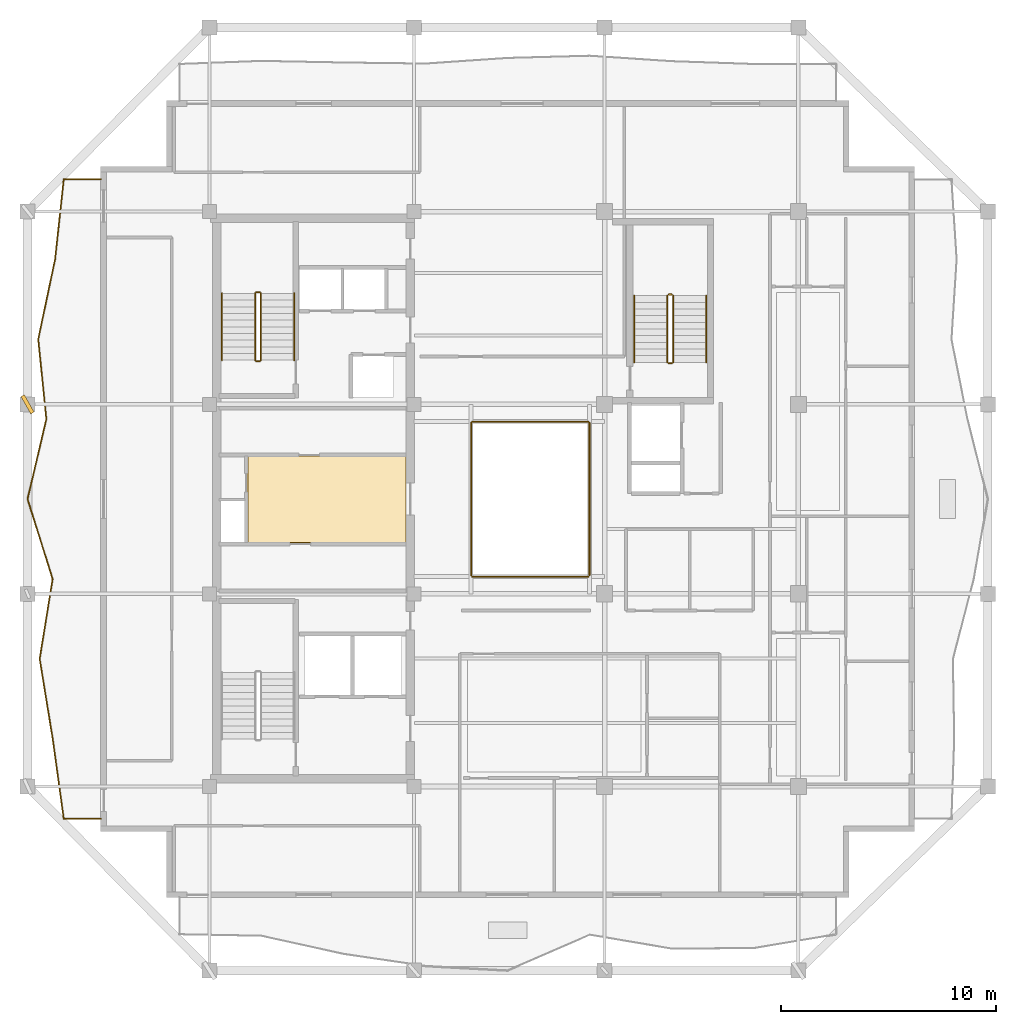
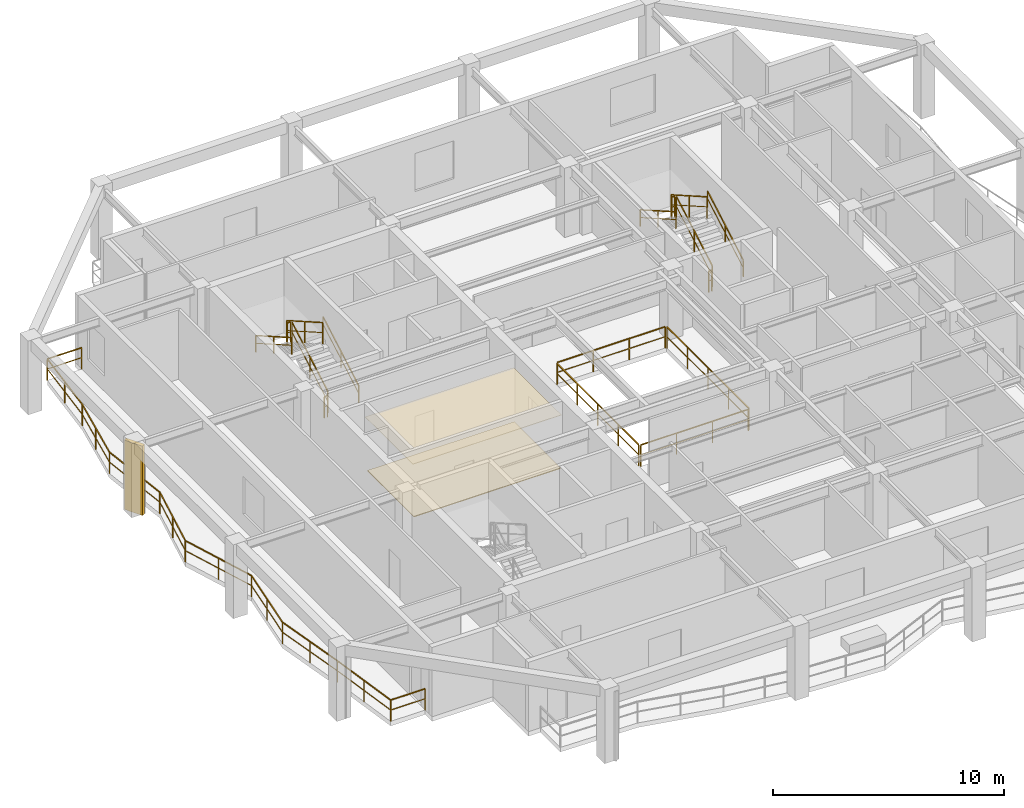
# One storey, part 8 of 10: 17 railings, 2 coverings, 1 shading device.
"""IFC4 building model written with IfcOpenShell, lengths in metres."""

from ifc_helpers import new_model, si_unit, direction, frame, origin, origin_2d, place, context, subcontext, project, spatial, polyline, rectangle, outline, extrude, material, layer, layer_set, type_object, element, save


model = new_model("IFC4")

# Units and contexts
model_context = context("Model", 3, precision=1e-05, world=origin(), true_north=direction((0.0, 1.0)))
body_context = subcontext(model_context, "Body", "Model", "MODEL_VIEW")
ifc_project = project(units=[si_unit("LENGTHUNIT", "METRE"), si_unit("AREAUNIT", "SQUARE_METRE"), si_unit("VOLUMEUNIT", "CUBIC_METRE"), si_unit("PLANEANGLEUNIT", "RADIAN"), si_unit("MASSUNIT", "GRAM", prefix="KILO")], contexts=[model_context])

# Site, building, storey
site_placement = place(None, origin())
site = spatial("IfcSite", under=ifc_project, at=site_placement, CompositionType="ELEMENT")
building_placement = place(site_placement, origin())
building = spatial("IfcBuilding", under=site, at=building_placement, Name="Kundavana Baori Tower", CompositionType="ELEMENT")
storey_placement = place(building_placement, frame((0.0, 0.0, 280.39990234375)))
storey = spatial("IfcBuildingStorey", under=building, at=storey_placement, Name="L69", CompositionType="ELEMENT", Elevation=280.39990234375)

# Coverings
ifc_material_1 = material(Name="Honed Kota Stone and Terrazzo Flooring", Category="masonry")
ifc_layer_1 = layer(ifc_material_1, 0.0400390625, Name="COV-FLR-TERR-40")
ifc_layer_set_1 = layer_set([ifc_layer_1], Name="Honed Kota Stone and Terrazzo Flooring")
covering_type_1 = type_object("IfcCoveringType", Name="COV-FLR-TERR-40", PredefinedType="FLOORING", material=ifc_layer_set_1)
covering_1_placement = place(storey_placement, origin())
element("IfcCovering", 1, at=covering_1_placement, inside=storey, type_object=covering_type_1, Name="L69 Core Lift Lobby Kota Stone Flooring", PredefinedType="FLOORING", context=body_context, shape_type="SweptSolid", body=[
    extrude(outline(polyline([(17.25, 26.580078125), (24.580078125, 26.580078125), (24.580078125, 30.60009765625), (17.25, 30.60009765625), (17.25, 26.580078125)])), origin(), (0.0, 0.0, 1.0), 0.0400390625),
])
ifc_material_2 = material(Name="Perforated Acoustic Mineral Fibre Ceiling Board")
ifc_layer_2 = layer(ifc_material_2, 0.02490234375, Name="COV-INT-CEIL")
ifc_layer_set_2 = layer_set([ifc_layer_2], Name="Perforated Acoustic Mineral Fibre Ceiling Board")
covering_type_2 = type_object("IfcCoveringType", Name="COV-INT-CEIL", PredefinedType="CEILING", material=ifc_layer_set_2)
covering_2_placement = place(storey_placement, frame((0.0, 0.0, 2.85009765625)))
element("IfcCovering", 2, at=covering_2_placement, inside=storey, type_object=covering_type_2, Name="L69 Core Lift Lobby Acoustic Ceiling", PredefinedType="CEILING", context=body_context, shape_type="SweptSolid", body=[
    extrude(outline(polyline([(17.159912109375, 26.52001953125), (24.580078125, 26.52001953125), (24.580078125, 30.639892578125), (17.159912109375, 30.639892578125), (17.159912109375, 26.52001953125)])), origin(), (0.0, 0.0, 1.0), 0.02490234375),
])

# Railings
ifc_material_3 = material(Name="Architectural Patinated Bronze Metalwork")
railing_type_1 = type_object("IfcRailingType", Name="RL-BAL-1150", PredefinedType="BALUSTRADE", material=ifc_material_3)
railing_1_placement = place(storey_placement, frame((10.39990234375, 13.75, 0.0)))
element("IfcRailing", 3, at=railing_1_placement, inside=storey, type_object=railing_type_1, Name="L69 Loggia Balcony Balustrade W", PredefinedType="BALUSTRADE", context=body_context, shape_type="SweptSolid", body=[
    extrude(rectangle(XDim=0.048095703125, YDim=0.048095703125, at=origin_2d()), frame((0.0, 0.0, 1.1259765625), z_axis=(-1.0, 0.0, 0.0), x_axis=(0.0, -1.0, 0.0)), (0.0, 0.0, 1.0), 1.719970703125),
    extrude(rectangle(XDim=0.03125, YDim=0.03125, at=origin_2d()), frame((0.0, 0.0, 0.597900390625), z_axis=(-1.0, 0.0, 0.0), x_axis=(0.0, -1.0, 0.0)), (0.0, 0.0, 1.0), 1.719970703125),
    extrude(rectangle(XDim=0.048095703125, YDim=0.048095703125, at=origin_2d()), frame((-1.719970703125, 0.0, 1.1259765625), z_axis=(-0.136886525247, 0.990586734822, 0.0), x_axis=(-0.990586734822, -0.136886525247, 0.0)), (0.0, 0.0, 1.0), 3.7470703125),
    extrude(rectangle(XDim=0.03125, YDim=0.03125, at=origin_2d()), frame((-1.719970703125, 0.0, 0.597900390625), z_axis=(-0.136886525247, 0.990586734822, 0.0), x_axis=(-0.990586734822, -0.136886525247, 0.0)), (0.0, 0.0, 1.0), 3.7470703125),
    extrude(rectangle(XDim=0.048095703125, YDim=0.048095703125, at=origin_2d()), frame((-2.23291015625, 3.7119140625, 1.1259765625), z_axis=(-0.160809390633, 0.986985481091, 0.0), x_axis=(-0.986985481091, -0.160809390633, 0.0)), (0.0, 0.0, 1.0), 3.76220703125),
    extrude(rectangle(XDim=0.03125, YDim=0.03125, at=origin_2d()), frame((-2.23291015625, 3.7119140625, 0.597900390625), z_axis=(-0.160809390633, 0.986985481091, 0.0), x_axis=(-0.986985481091, -0.160809390633, 0.0)), (0.0, 0.0, 1.0), 3.76220703125),
    extrude(rectangle(XDim=0.048095703125, YDim=0.048095703125, at=origin_2d()), frame((-2.837890625, 7.425048828125, 1.1259765625), z_axis=(0.159807910157, 0.987148130653, 0.0), x_axis=(-0.987148130653, 0.159807910157, 0.0)), (0.0, 0.0, 1.0), 3.76123046875),
    extrude(rectangle(XDim=0.03125, YDim=0.03125, at=origin_2d()), frame((-2.837890625, 7.425048828125, 0.597900390625), z_axis=(0.159807910157, 0.987148130653, 0.0), x_axis=(-0.987148130653, 0.159807910157, 0.0)), (0.0, 0.0, 1.0), 3.76123046875),
    extrude(rectangle(XDim=0.048095703125, YDim=0.048095703125, at=origin_2d()), frame((-2.23681640625, 11.137939453125, 1.1259765625), z_axis=(-0.29898603526, 0.954257486593, 0.0), x_axis=(-0.954257486593, -0.29898603526, 0.0)), (0.0, 0.0, 1.0), 3.89013671875),
    extrude(rectangle(XDim=0.03125, YDim=0.03125, at=origin_2d()), frame((-2.23681640625, 11.137939453125, 0.597900390625), z_axis=(-0.29898603526, 0.954257486593, 0.0), x_axis=(-0.954257486593, -0.29898603526, 0.0)), (0.0, 0.0, 1.0), 3.89013671875),
    extrude(rectangle(XDim=0.048095703125, YDim=0.048095703125, at=origin_2d()), frame((-3.39990234375, 14.85009765625, 1.1259765625), z_axis=(0.228468249656, 0.973551364284, 0.0), x_axis=(-0.973551364284, 0.228468249656, 0.0)), (0.0, 0.0, 1.0), 3.812744140625),
    extrude(rectangle(XDim=0.03125, YDim=0.03125, at=origin_2d()), frame((-3.39990234375, 14.85009765625, 0.597900390625), z_axis=(0.228468249656, 0.973551364284, 0.0), x_axis=(-0.973551364284, 0.228468249656, 0.0)), (0.0, 0.0, 1.0), 3.812744140625),
    extrude(rectangle(XDim=0.048095703125, YDim=0.048095703125, at=origin_2d()), frame((-2.52880859375, 18.56201171875, 1.1259765625), z_axis=(-0.100747274889, 0.994912049682, 0.0), x_axis=(-0.994912049682, -0.100747274889, 0.0)), (0.0, 0.0, 1.0), 3.73193359375),
    extrude(rectangle(XDim=0.03125, YDim=0.03125, at=origin_2d()), frame((-2.52880859375, 18.56201171875, 0.597900390625), z_axis=(-0.100747274889, 0.994912049682, 0.0), x_axis=(-0.994912049682, -0.100747274889, 0.0)), (0.0, 0.0, 1.0), 3.73193359375),
    extrude(rectangle(XDim=0.048095703125, YDim=0.048095703125, at=origin_2d()), frame((-2.90478515625, 22.27490234375, 1.1259765625), z_axis=(0.206324982135, 0.978483521449, 0.0), x_axis=(-0.978483521449, 0.206324982135, 0.0)), (0.0, 0.0, 1.0), 3.794677734375),
    extrude(rectangle(XDim=0.03125, YDim=0.03125, at=origin_2d()), frame((-2.90478515625, 22.27490234375, 0.597900390625), z_axis=(0.206324982135, 0.978483521449, 0.0), x_axis=(-0.978483521449, 0.206324982135, 0.0)), (0.0, 0.0, 1.0), 3.794677734375),
    extrude(rectangle(XDim=0.048095703125, YDim=0.048095703125, at=origin_2d()), frame((-2.121826171875, 25.988037109375, 1.1259765625), z_axis=(0.107632073694, 0.994190794924, 0.0), x_axis=(-0.994190794924, 0.107632073694, 0.0)), (0.0, 0.0, 1.0), 3.733642578125),
    extrude(rectangle(XDim=0.03125, YDim=0.03125, at=origin_2d()), frame((-2.121826171875, 25.988037109375, 0.597900390625), z_axis=(0.107632073694, 0.994190794924, 0.0), x_axis=(-0.994190794924, 0.107632073694, 0.0)), (0.0, 0.0, 1.0), 3.733642578125),
    extrude(rectangle(XDim=0.048095703125, YDim=0.048095703125, at=origin_2d()), frame((-1.719970703125, 29.699951171875, 1.1259765625), z_axis=(1.0, 0.0, 0.0), x_axis=(0.0, 1.0, 0.0)), (0.0, 0.0, 1.0), 1.719970703125),
    extrude(rectangle(XDim=0.03125, YDim=0.03125, at=origin_2d()), frame((-1.719970703125, 29.699951171875, 0.597900390625), z_axis=(1.0, 0.0, 0.0), x_axis=(0.0, 1.0, 0.0)), (0.0, 0.0, 1.0), 1.719970703125),
    extrude(rectangle(XDim=0.0419921875, YDim=0.0419921875, at=origin_2d()), origin(), (0.0, 0.0, 1.0), 1.101806640625),
    extrude(rectangle(XDim=0.0419921875, YDim=0.0419921875, at=origin_2d()), frame((-1.719970703125, 0.0, 0.0)), (0.0, 0.0, 1.0), 1.101806640625),
    extrude(rectangle(XDim=0.0419921875, YDim=0.0419921875, at=origin_2d()), frame((-1.9765625, 1.85595703125, 0.0)), (0.0, 0.0, 1.0), 1.101806640625),
    extrude(rectangle(XDim=0.0419921875, YDim=0.0419921875, at=origin_2d()), frame((-2.23291015625, 3.7119140625, 0.0)), (0.0, 0.0, 1.0), 1.101806640625),
    extrude(rectangle(XDim=0.0419921875, YDim=0.0419921875, at=origin_2d()), frame((-2.535400390625, 5.568359375, 0.0)), (0.0, 0.0, 1.0), 1.101806640625),
    extrude(rectangle(XDim=0.0419921875, YDim=0.0419921875, at=origin_2d()), frame((-2.837890625, 7.425048828125, 0.0)), (0.0, 0.0, 1.0), 1.101806640625),
    extrude(rectangle(XDim=0.0419921875, YDim=0.0419921875, at=origin_2d()), frame((-2.537353515625, 9.281494140625, 0.0)), (0.0, 0.0, 1.0), 1.101806640625),
    extrude(rectangle(XDim=0.0419921875, YDim=0.0419921875, at=origin_2d()), frame((-2.23681640625, 11.137939453125, 0.0)), (0.0, 0.0, 1.0), 1.101806640625),
    extrude(rectangle(XDim=0.0419921875, YDim=0.0419921875, at=origin_2d()), frame((-2.818359375, 12.994140625, 0.0)), (0.0, 0.0, 1.0), 1.101806640625),
    extrude(rectangle(XDim=0.0419921875, YDim=0.0419921875, at=origin_2d()), frame((-3.39990234375, 14.85009765625, 0.0)), (0.0, 0.0, 1.0), 1.101806640625),
    extrude(rectangle(XDim=0.0419921875, YDim=0.0419921875, at=origin_2d()), frame((-2.96435546875, 16.7060546875, 0.0)), (0.0, 0.0, 1.0), 1.101806640625),
    extrude(rectangle(XDim=0.0419921875, YDim=0.0419921875, at=origin_2d()), frame((-2.52880859375, 18.56201171875, 0.0)), (0.0, 0.0, 1.0), 1.101806640625),
    extrude(rectangle(XDim=0.0419921875, YDim=0.0419921875, at=origin_2d()), frame((-2.716796875, 20.41845703125, 0.0)), (0.0, 0.0, 1.0), 1.101806640625),
    extrude(rectangle(XDim=0.0419921875, YDim=0.0419921875, at=origin_2d()), frame((-2.90478515625, 22.27490234375, 0.0)), (0.0, 0.0, 1.0), 1.101806640625),
    extrude(rectangle(XDim=0.0419921875, YDim=0.0419921875, at=origin_2d()), frame((-2.51318359375, 24.13134765625, 0.0)), (0.0, 0.0, 1.0), 1.101806640625),
    extrude(rectangle(XDim=0.0419921875, YDim=0.0419921875, at=origin_2d()), frame((-2.121826171875, 25.988037109375, 0.0)), (0.0, 0.0, 1.0), 1.101806640625),
    extrude(rectangle(XDim=0.0419921875, YDim=0.0419921875, at=origin_2d()), frame((-1.9208984375, 27.843994140625, 0.0)), (0.0, 0.0, 1.0), 1.101806640625),
    extrude(rectangle(XDim=0.0419921875, YDim=0.0419921875, at=origin_2d()), frame((-1.719970703125, 29.699951171875, 0.0)), (0.0, 0.0, 1.0), 1.101806640625),
    extrude(rectangle(XDim=0.0419921875, YDim=0.0419921875, at=origin_2d()), frame((0.0, 29.699951171875, 0.0)), (0.0, 0.0, 1.0), 1.101806640625),
])
ifc_material_4 = material(Name="Architectural Patinated Bronze Metalwork")
railing_type_2 = type_object("IfcRailingType", Name="RL-GRD-1150", PredefinedType="GUARDRAIL", material=ifc_material_4)
railing_2_placement = place(storey_placement, frame((17.840087890625, 35.050048828125, 0.177490234375)))
element("IfcRailing", 4, at=railing_2_placement, inside=storey, type_object=railing_type_2, Name="L69 ST2 stair guard 1", PredefinedType="GUARDRAIL", context=body_context, shape_type="SweptSolid", body=[
    extrude(rectangle(XDim=0.048095703125, YDim=0.048095703125, at=origin_2d()), frame((0.0, 0.0, 1.1259765625), z_axis=(0.0, 0.868079009454, 0.496426060301), x_axis=(-1.0, 0.0, 0.0)), (0.0, 0.0, 1.0), 3.571044921875),
    extrude(rectangle(XDim=0.03125, YDim=0.03125, at=origin_2d()), frame((0.0, 0.0, 0.597900390625), z_axis=(0.0, 0.868079009454, 0.496426060301), x_axis=(-1.0, 0.0, 0.0)), (0.0, 0.0, 1.0), 3.571044921875),
    extrude(rectangle(XDim=0.0419921875, YDim=0.0419921875, at=origin_2d()), origin(), (0.0, 0.0, 1.0), 1.101806640625),
    extrude(rectangle(XDim=0.0419921875, YDim=0.0419921875, at=origin_2d()), frame((0.0, 1.5498046875, 0.88623046875)), (0.0, 0.0, 1.0), 1.101806640625),
    extrude(rectangle(XDim=0.0419921875, YDim=0.0419921875, at=origin_2d()), frame((0.0, 3.099853515625, 1.772705078125)), (0.0, 0.0, 1.0), 1.101806640625),
])
railing_3_placement = place(storey_placement, frame((17.7900390625, 38.199951171875, 1.9501953125)))
element("IfcRailing", 5, at=railing_3_placement, inside=storey, type_object=railing_type_2, Name="L69 ST2 stair guard 2", PredefinedType="GUARDRAIL", context=body_context, shape_type="SweptSolid", body=[
    extrude(rectangle(XDim=0.048095703125, YDim=0.048095703125, at=origin_2d()), frame((0.0, 0.0, 1.1259765625), z_axis=(-1.0, 0.0, 0.0), x_axis=(0.0, -1.0, 0.0)), (0.0, 0.0, 1.0), 0.16015625),
    extrude(rectangle(XDim=0.03125, YDim=0.03125, at=origin_2d()), frame((0.0, 0.0, 0.597900390625), z_axis=(-1.0, 0.0, 0.0), x_axis=(0.0, -1.0, 0.0)), (0.0, 0.0, 1.0), 0.16015625),
    extrude(rectangle(XDim=0.0419921875, YDim=0.0419921875, at=origin_2d()), origin(), (0.0, 0.0, 1.0), 1.101806640625),
    extrude(rectangle(XDim=0.0419921875, YDim=0.0419921875, at=origin_2d()), frame((-0.16015625, 0.0, 0.0)), (0.0, 0.0, 1.0), 1.101806640625),
])
railing_4_placement = place(storey_placement, frame((17.580078125, 38.14990234375, 2.12744140625)))
element("IfcRailing", 6, at=railing_4_placement, inside=storey, type_object=railing_type_2, Name="L69 ST2 stair guard 3", PredefinedType="GUARDRAIL", context=body_context, shape_type="SweptSolid", body=[
    extrude(rectangle(XDim=0.048095703125, YDim=0.048095703125, at=origin_2d()), frame((0.0, 0.0, 1.1259765625), z_axis=(0.0, -0.868079009454, 0.496426060301), x_axis=(1.0, 0.0, 0.0)), (0.0, 0.0, 1.0), 3.571044921875),
    extrude(rectangle(XDim=0.03125, YDim=0.03125, at=origin_2d()), frame((0.0, 0.0, 0.597900390625), z_axis=(0.0, -0.868079009454, 0.496426060301), x_axis=(1.0, 0.0, 0.0)), (0.0, 0.0, 1.0), 3.571044921875),
    extrude(rectangle(XDim=0.0419921875, YDim=0.0419921875, at=origin_2d()), origin(), (0.0, 0.0, 1.0), 1.101806640625),
    extrude(rectangle(XDim=0.0419921875, YDim=0.0419921875, at=origin_2d()), frame((0.0, -1.5498046875, 0.88623046875)), (0.0, 0.0, 1.0), 1.101806640625),
    extrude(rectangle(XDim=0.0419921875, YDim=0.0419921875, at=origin_2d()), frame((0.0, -3.099853515625, 1.772705078125)), (0.0, 0.0, 1.0), 1.101806640625),
])
railing_5_placement = place(storey_placement, frame((17.7900390625, 35.0, 0.0)))
element("IfcRailing", 7, at=railing_5_placement, inside=storey, type_object=railing_type_2, Name="L69 ST2 stair guard 4", PredefinedType="GUARDRAIL", context=body_context, shape_type="SweptSolid", body=[
    extrude(rectangle(XDim=0.048095703125, YDim=0.048095703125, at=origin_2d()), frame((0.0, 0.0, 1.1259765625), z_axis=(-1.0, 0.0, 0.0), x_axis=(0.0, -1.0, 0.0)), (0.0, 0.0, 1.0), 0.16015625),
    extrude(rectangle(XDim=0.03125, YDim=0.03125, at=origin_2d()), frame((0.0, 0.0, 0.597900390625), z_axis=(-1.0, 0.0, 0.0), x_axis=(0.0, -1.0, 0.0)), (0.0, 0.0, 1.0), 0.16015625),
    extrude(rectangle(XDim=0.0419921875, YDim=0.0419921875, at=origin_2d()), origin(), (0.0, 0.0, 1.0), 1.101806640625),
    extrude(rectangle(XDim=0.0419921875, YDim=0.0419921875, at=origin_2d()), frame((-0.16015625, 0.0, 0.0)), (0.0, 0.0, 1.0), 1.101806640625),
])
railing_6_placement = place(storey_placement, frame((36.97998046875, 34.949951171875, 0.177490234375)))
element("IfcRailing", 8, at=railing_6_placement, inside=storey, type_object=railing_type_2, Name="L69 ST3 stair guard 1", PredefinedType="GUARDRAIL", context=body_context, shape_type="SweptSolid", body=[
    extrude(rectangle(XDim=0.048095703125, YDim=0.048095703125, at=origin_2d()), frame((0.0, 0.0, 1.1259765625), z_axis=(0.0, 0.868095856688, 0.496396599103), x_axis=(-1.0, 0.0, 0.0)), (0.0, 0.0, 1.0), 3.571044921875),
    extrude(rectangle(XDim=0.03125, YDim=0.03125, at=origin_2d()), frame((0.0, 0.0, 0.597900390625), z_axis=(0.0, 0.868095856688, 0.496396599103), x_axis=(-1.0, 0.0, 0.0)), (0.0, 0.0, 1.0), 3.571044921875),
    extrude(rectangle(XDim=0.0419921875, YDim=0.0419921875, at=origin_2d()), origin(), (0.0, 0.0, 1.0), 1.101806640625),
    extrude(rectangle(XDim=0.0419921875, YDim=0.0419921875, at=origin_2d()), frame((0.0, 1.550048828125, 0.88623046875)), (0.0, 0.0, 1.0), 1.101806640625),
    extrude(rectangle(XDim=0.0419921875, YDim=0.0419921875, at=origin_2d()), frame((0.0, 3.10009765625, 1.772705078125)), (0.0, 0.0, 1.0), 1.101806640625),
])
railing_7_placement = place(storey_placement, frame((36.929931640625, 38.10009765625, 1.9501953125)))
element("IfcRailing", 9, at=railing_7_placement, inside=storey, type_object=railing_type_2, Name="L69 ST3 stair guard 2", PredefinedType="GUARDRAIL", context=body_context, shape_type="SweptSolid", body=[
    extrude(rectangle(XDim=0.048095703125, YDim=0.048095703125, at=origin_2d()), frame((0.0, 0.0, 1.1259765625), z_axis=(-1.0, 0.0, 0.0), x_axis=(0.0, -1.0, 0.0)), (0.0, 0.0, 1.0), 0.159912109375),
    extrude(rectangle(XDim=0.03125, YDim=0.03125, at=origin_2d()), frame((0.0, 0.0, 0.597900390625), z_axis=(-1.0, 0.0, 0.0), x_axis=(0.0, -1.0, 0.0)), (0.0, 0.0, 1.0), 0.159912109375),
    extrude(rectangle(XDim=0.0419921875, YDim=0.0419921875, at=origin_2d()), origin(), (0.0, 0.0, 1.0), 1.101806640625),
    extrude(rectangle(XDim=0.0419921875, YDim=0.0419921875, at=origin_2d()), frame((-0.159912109375, 0.0, 0.0)), (0.0, 0.0, 1.0), 1.101806640625),
])
railing_8_placement = place(storey_placement, frame((36.719970703125, 38.050048828125, 2.12744140625)))
element("IfcRailing", 10, at=railing_8_placement, inside=storey, type_object=railing_type_2, Name="L69 ST3 stair guard 3", PredefinedType="GUARDRAIL", context=body_context, shape_type="SweptSolid", body=[
    extrude(rectangle(XDim=0.048095703125, YDim=0.048095703125, at=origin_2d()), frame((0.0, 0.0, 1.1259765625), z_axis=(0.0, -0.868095856688, 0.496396599103), x_axis=(1.0, 0.0, 0.0)), (0.0, 0.0, 1.0), 3.571044921875),
    extrude(rectangle(XDim=0.03125, YDim=0.03125, at=origin_2d()), frame((0.0, 0.0, 0.597900390625), z_axis=(0.0, -0.868095856688, 0.496396599103), x_axis=(1.0, 0.0, 0.0)), (0.0, 0.0, 1.0), 3.571044921875),
    extrude(rectangle(XDim=0.0419921875, YDim=0.0419921875, at=origin_2d()), origin(), (0.0, 0.0, 1.0), 1.101806640625),
    extrude(rectangle(XDim=0.0419921875, YDim=0.0419921875, at=origin_2d()), frame((0.0, -1.550048828125, 0.88623046875)), (0.0, 0.0, 1.0), 1.101806640625),
    extrude(rectangle(XDim=0.0419921875, YDim=0.0419921875, at=origin_2d()), frame((0.0, -3.10009765625, 1.772705078125)), (0.0, 0.0, 1.0), 1.101806640625),
])
railing_9_placement = place(storey_placement, frame((36.929931640625, 34.89990234375, 0.0)))
element("IfcRailing", 11, at=railing_9_placement, inside=storey, type_object=railing_type_2, Name="L69 ST3 stair guard 4", PredefinedType="GUARDRAIL", context=body_context, shape_type="SweptSolid", body=[
    extrude(rectangle(XDim=0.048095703125, YDim=0.048095703125, at=origin_2d()), frame((0.0, 0.0, 1.1259765625), z_axis=(-1.0, 0.0, 0.0), x_axis=(0.0, -1.0, 0.0)), (0.0, 0.0, 1.0), 0.159912109375),
    extrude(rectangle(XDim=0.03125, YDim=0.03125, at=origin_2d()), frame((0.0, 0.0, 0.597900390625), z_axis=(-1.0, 0.0, 0.0), x_axis=(0.0, -1.0, 0.0)), (0.0, 0.0, 1.0), 0.159912109375),
    extrude(rectangle(XDim=0.0419921875, YDim=0.0419921875, at=origin_2d()), origin(), (0.0, 0.0, 1.0), 1.101806640625),
    extrude(rectangle(XDim=0.0419921875, YDim=0.0419921875, at=origin_2d()), frame((-0.159912109375, 0.0, 0.0)), (0.0, 0.0, 1.0), 1.101806640625),
])
railing_10_placement = place(storey_placement, frame((27.659912109375, 25.0, 0.0)))
element("IfcRailing", 12, at=railing_10_placement, inside=storey, type_object=railing_type_2, Name="L69 Atrium Void Perimeter Guardrail S", PredefinedType="GUARDRAIL", context=body_context, shape_type="SweptSolid", body=[
    extrude(rectangle(XDim=0.048095703125, YDim=0.048095703125, at=origin_2d()), frame((0.0, 0.0, 1.1259765625), z_axis=(1.0, 0.0, 0.0), x_axis=(0.0, 1.0, 0.0)), (0.0, 0.0, 1.0), 5.380126953125),
    extrude(rectangle(XDim=0.03125, YDim=0.03125, at=origin_2d()), frame((0.0, 0.0, 0.597900390625), z_axis=(1.0, 0.0, 0.0), x_axis=(0.0, 1.0, 0.0)), (0.0, 0.0, 1.0), 5.380126953125),
    extrude(rectangle(XDim=0.0419921875, YDim=0.0419921875, at=origin_2d()), origin(), (0.0, 0.0, 1.0), 1.101806640625),
    extrude(rectangle(XDim=0.0419921875, YDim=0.0419921875, at=origin_2d()), frame((1.79345703125, 0.0, 0.0)), (0.0, 0.0, 1.0), 1.101806640625),
    extrude(rectangle(XDim=0.0419921875, YDim=0.0419921875, at=origin_2d()), frame((3.586669921875, 0.0, 0.0)), (0.0, 0.0, 1.0), 1.101806640625),
    extrude(rectangle(XDim=0.0419921875, YDim=0.0419921875, at=origin_2d()), frame((5.380126953125, 0.0, 0.0)), (0.0, 0.0, 1.0), 1.101806640625),
])
railing_11_placement = place(storey_placement, frame((33.10009765625, 25.06005859375, 0.0)))
element("IfcRailing", 13, at=railing_11_placement, inside=storey, type_object=railing_type_2, Name="L69 Atrium Void Perimeter Guardrail E", PredefinedType="GUARDRAIL", context=body_context, shape_type="SweptSolid", body=[
    extrude(rectangle(XDim=0.048095703125, YDim=0.048095703125, at=origin_2d()), frame((0.0, 0.0, 1.1259765625), z_axis=(0.0, 1.0, 0.0), x_axis=(-1.0, 0.0, 0.0)), (0.0, 0.0, 1.0), 7.079833984375),
    extrude(rectangle(XDim=0.03125, YDim=0.03125, at=origin_2d()), frame((0.0, 0.0, 0.597900390625), z_axis=(0.0, 1.0, 0.0), x_axis=(-1.0, 0.0, 0.0)), (0.0, 0.0, 1.0), 7.079833984375),
    extrude(rectangle(XDim=0.0419921875, YDim=0.0419921875, at=origin_2d()), origin(), (0.0, 0.0, 1.0), 1.101806640625),
    extrude(rectangle(XDim=0.0419921875, YDim=0.0419921875, at=origin_2d()), frame((0.0, 1.77001953125, 0.0)), (0.0, 0.0, 1.0), 1.101806640625),
    extrude(rectangle(XDim=0.0419921875, YDim=0.0419921875, at=origin_2d()), frame((0.0, 3.5400390625, 0.0)), (0.0, 0.0, 1.0), 1.101806640625),
    extrude(rectangle(XDim=0.0419921875, YDim=0.0419921875, at=origin_2d()), frame((0.0, 5.309814453125, 0.0)), (0.0, 0.0, 1.0), 1.101806640625),
    extrude(rectangle(XDim=0.0419921875, YDim=0.0419921875, at=origin_2d()), frame((0.0, 7.079833984375, 0.0)), (0.0, 0.0, 1.0), 1.101806640625),
])
railing_12_placement = place(storey_placement, frame((33.0400390625, 32.199951171875, 0.0)))
element("IfcRailing", 14, at=railing_12_placement, inside=storey, type_object=railing_type_2, Name="L69 Atrium Void Perimeter Guardrail N", PredefinedType="GUARDRAIL", context=body_context, shape_type="SweptSolid", body=[
    extrude(rectangle(XDim=0.048095703125, YDim=0.048095703125, at=origin_2d()), frame((0.0, 0.0, 1.1259765625), z_axis=(-1.0, 0.0, 0.0), x_axis=(0.0, -1.0, 0.0)), (0.0, 0.0, 1.0), 5.380126953125),
    extrude(rectangle(XDim=0.03125, YDim=0.03125, at=origin_2d()), frame((0.0, 0.0, 0.597900390625), z_axis=(-1.0, 0.0, 0.0), x_axis=(0.0, -1.0, 0.0)), (0.0, 0.0, 1.0), 5.380126953125),
    extrude(rectangle(XDim=0.0419921875, YDim=0.0419921875, at=origin_2d()), origin(), (0.0, 0.0, 1.0), 1.101806640625),
    extrude(rectangle(XDim=0.0419921875, YDim=0.0419921875, at=origin_2d()), frame((-1.79345703125, 0.0, 0.0)), (0.0, 0.0, 1.0), 1.101806640625),
    extrude(rectangle(XDim=0.0419921875, YDim=0.0419921875, at=origin_2d()), frame((-3.586669921875, 0.0, 0.0)), (0.0, 0.0, 1.0), 1.101806640625),
    extrude(rectangle(XDim=0.0419921875, YDim=0.0419921875, at=origin_2d()), frame((-5.380126953125, 0.0, 0.0)), (0.0, 0.0, 1.0), 1.101806640625),
])
railing_13_placement = place(storey_placement, frame((27.60009765625, 32.139892578125, 0.0)))
element("IfcRailing", 15, at=railing_13_placement, inside=storey, type_object=railing_type_2, Name="L69 Atrium Void Perimeter Guardrail W", PredefinedType="GUARDRAIL", context=body_context, shape_type="SweptSolid", body=[
    extrude(rectangle(XDim=0.048095703125, YDim=0.048095703125, at=origin_2d()), frame((0.0, 0.0, 1.1259765625), z_axis=(0.0, -1.0, 0.0), x_axis=(1.0, 0.0, 0.0)), (0.0, 0.0, 1.0), 7.079833984375),
    extrude(rectangle(XDim=0.03125, YDim=0.03125, at=origin_2d()), frame((0.0, 0.0, 0.597900390625), z_axis=(0.0, -1.0, 0.0), x_axis=(1.0, 0.0, 0.0)), (0.0, 0.0, 1.0), 7.079833984375),
    extrude(rectangle(XDim=0.0419921875, YDim=0.0419921875, at=origin_2d()), origin(), (0.0, 0.0, 1.0), 1.101806640625),
    extrude(rectangle(XDim=0.0419921875, YDim=0.0419921875, at=origin_2d()), frame((0.0, -1.77001953125, 0.0)), (0.0, 0.0, 1.0), 1.101806640625),
    extrude(rectangle(XDim=0.0419921875, YDim=0.0419921875, at=origin_2d()), frame((0.0, -3.5400390625, 0.0)), (0.0, 0.0, 1.0), 1.101806640625),
    extrude(rectangle(XDim=0.0419921875, YDim=0.0419921875, at=origin_2d()), frame((0.0, -5.309814453125, 0.0)), (0.0, 0.0, 1.0), 1.101806640625),
    extrude(rectangle(XDim=0.0419921875, YDim=0.0419921875, at=origin_2d()), frame((0.0, -7.079833984375, 0.0)), (0.0, 0.0, 1.0), 1.101806640625),
])
ifc_material_5 = material(Name="Architectural Patinated Bronze Metalwork")
railing_type_3 = type_object("IfcRailingType", Name="RL-HND-920", PredefinedType="HANDRAIL", material=ifc_material_5)
railing_14_placement = place(storey_placement, frame((19.389892578125, 35.050048828125, 0.177490234375)))
element("IfcRailing", 16, at=railing_14_placement, inside=storey, type_object=railing_type_3, Name="L69 ST2 stair handrail 1", PredefinedType="HANDRAIL", context=body_context, shape_type="SweptSolid", body=[
    extrude(rectangle(XDim=0.048095703125, YDim=0.048095703125, at=origin_2d()), frame((0.0, 0.0, 0.8759765625), z_axis=(0.0, 0.868079009454, 0.496426060301), x_axis=(-1.0, 0.0, 0.0)), (0.0, 0.0, 1.0), 3.571044921875),
    extrude(rectangle(XDim=0.03125, YDim=0.03125, at=origin_2d()), frame((0.0, 0.0, 0.468017578125), z_axis=(0.0, 0.868079009454, 0.496426060301), x_axis=(-1.0, 0.0, 0.0)), (0.0, 0.0, 1.0), 3.571044921875),
    extrude(rectangle(XDim=0.0419921875, YDim=0.0419921875, at=origin_2d()), origin(), (0.0, 0.0, 1.0), 0.851806640625),
    extrude(rectangle(XDim=0.0419921875, YDim=0.0419921875, at=origin_2d()), frame((0.0, 1.5498046875, 0.88623046875)), (0.0, 0.0, 1.0), 0.851806640625),
    extrude(rectangle(XDim=0.0419921875, YDim=0.0419921875, at=origin_2d()), frame((0.0, 3.099853515625, 1.772705078125)), (0.0, 0.0, 1.0), 0.851806640625),
])
railing_15_placement = place(storey_placement, frame((16.030029296875, 38.14990234375, 2.12744140625)))
element("IfcRailing", 17, at=railing_15_placement, inside=storey, type_object=railing_type_3, Name="L69 ST2 stair handrail 2", PredefinedType="HANDRAIL", context=body_context, shape_type="SweptSolid", body=[
    extrude(rectangle(XDim=0.048095703125, YDim=0.048095703125, at=origin_2d()), frame((0.0, 0.0, 0.8759765625), z_axis=(0.0, -0.868079009454, 0.496426060301), x_axis=(1.0, 0.0, 0.0)), (0.0, 0.0, 1.0), 3.571044921875),
    extrude(rectangle(XDim=0.03125, YDim=0.03125, at=origin_2d()), frame((0.0, 0.0, 0.468017578125), z_axis=(0.0, -0.868079009454, 0.496426060301), x_axis=(1.0, 0.0, 0.0)), (0.0, 0.0, 1.0), 3.571044921875),
    extrude(rectangle(XDim=0.0419921875, YDim=0.0419921875, at=origin_2d()), origin(), (0.0, 0.0, 1.0), 0.851806640625),
    extrude(rectangle(XDim=0.0419921875, YDim=0.0419921875, at=origin_2d()), frame((0.0, -1.5498046875, 0.88623046875)), (0.0, 0.0, 1.0), 0.851806640625),
    extrude(rectangle(XDim=0.0419921875, YDim=0.0419921875, at=origin_2d()), frame((0.0, -3.099853515625, 1.772705078125)), (0.0, 0.0, 1.0), 0.851806640625),
])
railing_16_placement = place(storey_placement, frame((38.530029296875, 34.949951171875, 0.177490234375)))
element("IfcRailing", 18, at=railing_16_placement, inside=storey, type_object=railing_type_3, Name="L69 ST3 stair handrail 1", PredefinedType="HANDRAIL", context=body_context, shape_type="SweptSolid", body=[
    extrude(rectangle(XDim=0.048095703125, YDim=0.048095703125, at=origin_2d()), frame((0.0, 0.0, 0.8759765625), z_axis=(0.0, 0.868095856688, 0.496396599103), x_axis=(-1.0, 0.0, 0.0)), (0.0, 0.0, 1.0), 3.571044921875),
    extrude(rectangle(XDim=0.03125, YDim=0.03125, at=origin_2d()), frame((0.0, 0.0, 0.468017578125), z_axis=(0.0, 0.868095856688, 0.496396599103), x_axis=(-1.0, 0.0, 0.0)), (0.0, 0.0, 1.0), 3.571044921875),
    extrude(rectangle(XDim=0.0419921875, YDim=0.0419921875, at=origin_2d()), origin(), (0.0, 0.0, 1.0), 0.851806640625),
    extrude(rectangle(XDim=0.0419921875, YDim=0.0419921875, at=origin_2d()), frame((0.0, 1.550048828125, 0.88623046875)), (0.0, 0.0, 1.0), 0.851806640625),
    extrude(rectangle(XDim=0.0419921875, YDim=0.0419921875, at=origin_2d()), frame((0.0, 3.10009765625, 1.772705078125)), (0.0, 0.0, 1.0), 0.851806640625),
])
railing_17_placement = place(storey_placement, frame((35.169921875, 38.050048828125, 2.12744140625)))
element("IfcRailing", 19, at=railing_17_placement, inside=storey, type_object=railing_type_3, Name="L69 ST3 stair handrail 2", PredefinedType="HANDRAIL", context=body_context, shape_type="SweptSolid", body=[
    extrude(rectangle(XDim=0.048095703125, YDim=0.048095703125, at=origin_2d()), frame((0.0, 0.0, 0.8759765625), z_axis=(0.0, -0.868095856688, 0.496396599103), x_axis=(1.0, 0.0, 0.0)), (0.0, 0.0, 1.0), 3.571044921875),
    extrude(rectangle(XDim=0.03125, YDim=0.03125, at=origin_2d()), frame((0.0, 0.0, 0.468017578125), z_axis=(0.0, -0.868095856688, 0.496396599103), x_axis=(1.0, 0.0, 0.0)), (0.0, 0.0, 1.0), 3.571044921875),
    extrude(rectangle(XDim=0.0419921875, YDim=0.0419921875, at=origin_2d()), origin(), (0.0, 0.0, 1.0), 0.851806640625),
    extrude(rectangle(XDim=0.0419921875, YDim=0.0419921875, at=origin_2d()), frame((0.0, -1.550048828125, 0.88623046875)), (0.0, 0.0, 1.0), 0.851806640625),
    extrude(rectangle(XDim=0.0419921875, YDim=0.0419921875, at=origin_2d()), frame((0.0, -3.10009765625, 1.772705078125)), (0.0, 0.0, 1.0), 0.851806640625),
])

# Shading device
ifc_material_6 = material(Name="Red-Buff Dholpur Sandstone Cladding on Concrete C40/50", Category="masonry")
shading_device_type = type_object("IfcShadingDeviceType", Name="SHD-FIN-920", PredefinedType="JALOUSIE", material=ifc_material_6)
shading_device_placement = place(storey_placement, frame((7.0, 33.0, 0.0), z_axis=(0.0, 0.0, 1.0), x_axis=(0.871470728289, 0.490447519859, 0.0)))
element("IfcShadingDevice", 20, at=shading_device_placement, inside=storey, type_object=shading_device_type, Name="L69 Sweeping Dholpur Sandstone Facade Fin 7", PredefinedType="JALOUSIE", context=body_context, shape_type="SweptSolid", body=[
    extrude(rectangle(XDim=0.179931640625, YDim=0.919921875, at=origin_2d()), origin(), (0.0, 0.0, 1.0), 3.659912109375),
])

save(model, "model.ifc")
